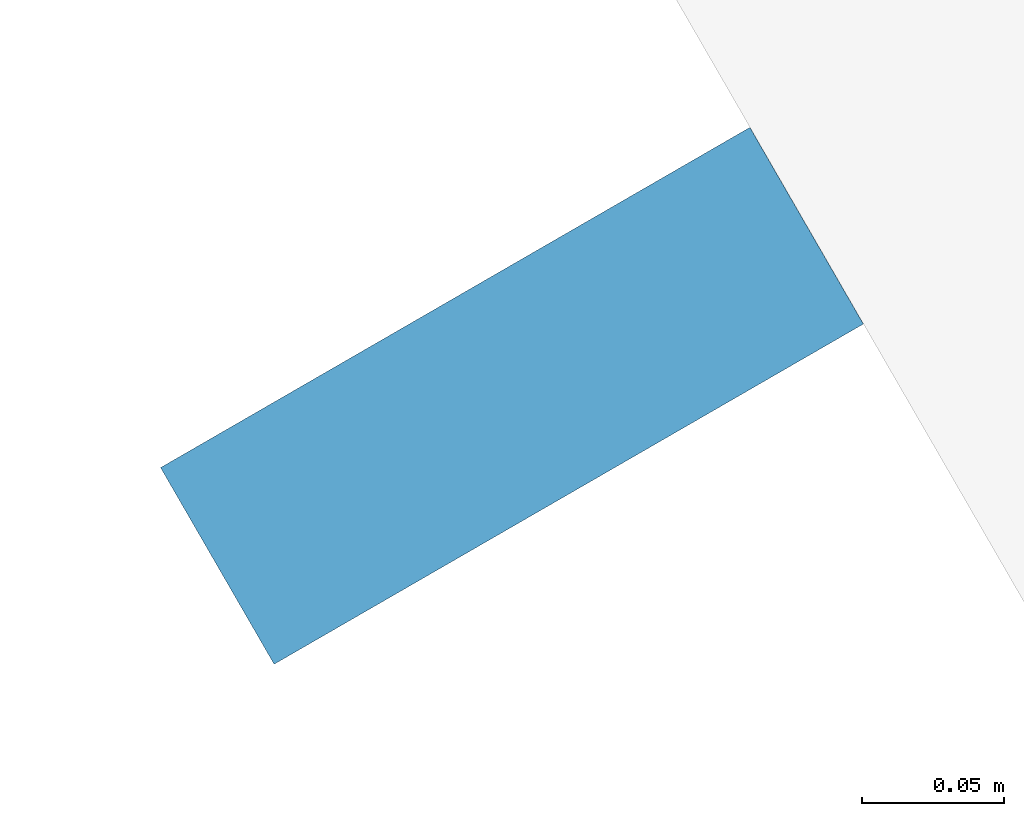
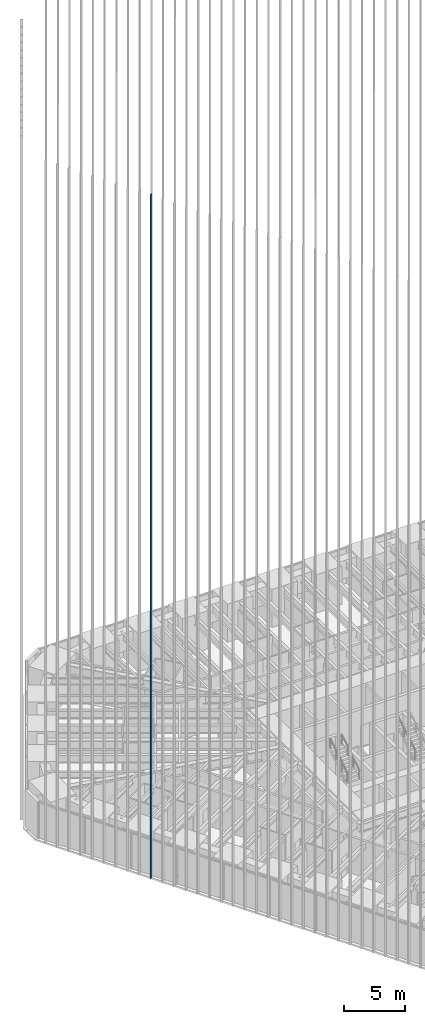
# One storey, part 57 of 256: 1 member, 1 element without a shape of its own.
"""IFC4 building model written with IfcOpenShell, lengths in metres."""

from ifc_helpers import new_model, si_unit, direction, frame, origin, origin_2d, place, context, subcontext, project, spatial, rectangle, extrude, material, material_profile, profile_set, type_object, element, aggregate, save


model = new_model("IFC4")

# Units and contexts
model_context = context("Model", 3, precision=1e-05, world=origin(), true_north=direction((0.0, 1.0)))
body_context = subcontext(model_context, "Body", "Model", "MODEL_VIEW")
ifc_project = project(units=[si_unit("LENGTHUNIT", "METRE"), si_unit("AREAUNIT", "SQUARE_METRE"), si_unit("VOLUMEUNIT", "CUBIC_METRE"), si_unit("PLANEANGLEUNIT", "RADIAN"), si_unit("MASSUNIT", "GRAM", prefix="KILO")], contexts=[model_context])

# Site, building, storey
site_placement = place(None, origin())
site = spatial("IfcSite", under=ifc_project, at=site_placement, CompositionType="ELEMENT")
building_placement = place(site_placement, origin())
building = spatial("IfcBuilding", under=site, at=building_placement, Name="Sandreach Pilgrim Tower", CompositionType="ELEMENT")
storey_placement = place(building_placement, frame((0.0, 0.0, 23.0)))
storey = spatial("IfcBuildingStorey", under=building, at=storey_placement, Name="L04", CompositionType="ELEMENT", Elevation=23.0)

# Curtain wall, member
ifc_material_1 = material(Name="Aluminium framed curtain wall", Category="aluminium")
curtain_wall_type = type_object("IfcCurtainWallType", Name="Hostel tower curtain wall", PredefinedType="NOTDEFINED", material=ifc_material_1)
curtain_wall_placement = place(storey_placement, origin())
curtain_wall = element("IfcCurtainWall", 1, at=curtain_wall_placement, inside=storey, type_object=curtain_wall_type, Name="CW-1 L04 SW", PredefinedType="NOTDEFINED")
ifc_material_2 = material(Name="Extruded terracotta on aluminium core", Category="masonry")
ifc_material_profile = material_profile(ifc_material_2, rectangle(XDim=0.080078125, YDim=0.239990234375, at=origin_2d()), Name="TBW 80X240")
ifc_profile_set = profile_set([ifc_material_profile], Name="Extruded terracotta on aluminium core")
member_type = type_object("IfcMemberType", Name="Terracotta baguette west", PredefinedType="USERDEFINED", material=ifc_profile_set)
member_placement = place(storey_placement, frame((-25.529296875, -4.519287109375, 0.0), z_axis=(0.0, 0.0, 1.0), x_axis=(-0.5, 0.866025403784, 0.0)))
member = element("IfcMember", 2, at=member_placement, type_object=member_type, Name="Baguette Z1 SW26", ObjectType="BAGUETTE", PredefinedType="USERDEFINED", context=body_context, shape_type="SweptSolid", body=[
    extrude(rectangle(XDim=0.080078125, YDim=0.239990234375, at=origin_2d()), origin(), (0.0, 0.0, 1.0), 68.239990234375),
])
aggregate(curtain_wall, [member])

save(model, "model.ifc")
